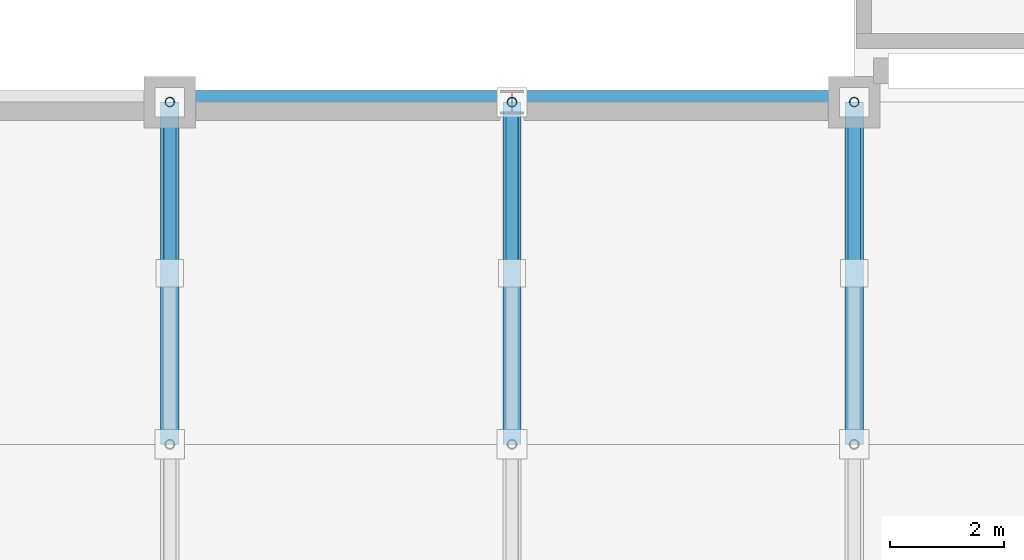
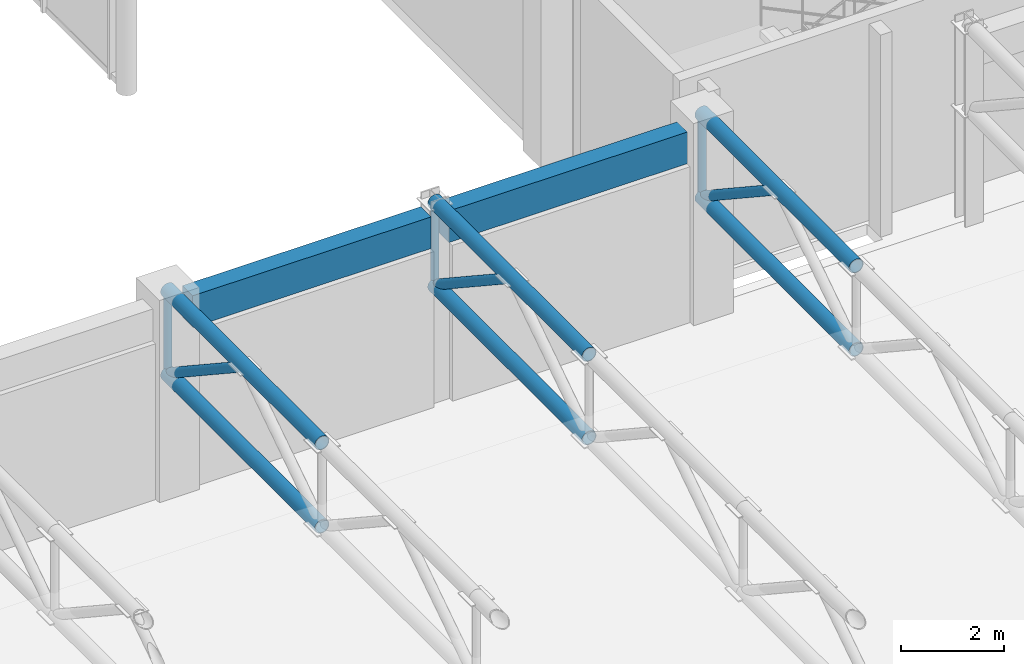
# One storey, part 32 of 123: 12 members, 2 beams.
"""IFC4 building model written with IfcOpenShell, lengths in metres."""

from ifc_helpers import new_model, si_unit, direction, frame, origin, origin_2d, place, context, subcontext, project, spatial, rectangle, hollow_circle, extrude, material, material_profile, profile_set, type_object, element, save


model = new_model("IFC4")

# Units and contexts
model_context = context("Model", 3, precision=1e-05, world=origin(), true_north=direction((0.0, 1.0)))
body_context = subcontext(model_context, "Body", "Model", "MODEL_VIEW")
ifc_project = project(units=[si_unit("LENGTHUNIT", "METRE"), si_unit("AREAUNIT", "SQUARE_METRE"), si_unit("VOLUMEUNIT", "CUBIC_METRE"), si_unit("PLANEANGLEUNIT", "RADIAN"), si_unit("MASSUNIT", "GRAM", prefix="KILO"), si_unit("THERMODYNAMICTEMPERATUREUNIT", "KELVIN"), si_unit("POWERUNIT", "WATT")], contexts=[model_context])

# Site, building, storey
site_placement = place(None, origin())
site = spatial("IfcSite", under=ifc_project, at=site_placement, CompositionType="ELEMENT")
building_placement = place(site_placement, origin())
building = spatial("IfcBuilding", under=site, at=building_placement, Name="Phaisarnlok Congress Hotel", CompositionType="ELEMENT")
storey_placement = place(building_placement, frame((0.0, 0.0, 15.0)))
storey = spatial("IfcBuildingStorey", under=building, at=storey_placement, Name="L03", CompositionType="ELEMENT", Elevation=15.0)

# Members
ifc_material_1 = material(Name="Steel S355", Category="steel")
ifc_material_profile_1 = material_profile(ifc_material_1, hollow_circle(Radius=0.084228515625, WallThickness=0.010009765625, at=origin_2d()), Name="CHS 168.3x10")
ifc_profile_set_1 = profile_set([ifc_material_profile_1], Name="Steel S355")
member_type_1 = type_object("IfcMemberType", Name="MEM-BRC-CHS168", PredefinedType="BRACE", material=ifc_profile_set_1)
for number, where, z_axis, x_axis, name in (
    (1, (114.0, 36.0, 2.64990234375), (0.0, 0.0, 1.0), (1.0, 0.0, 0.0), "Ballroom truss vertical web TB-01"),
    (2, (120.0, 36.0, 2.64990234375), (0.0, 0.0, 1.0), (1.0, 0.0, 0.0), "Ballroom truss vertical web TB-01"),
    (3, (126.0, 36.0, 2.64990234375), (0.0, 0.0, 1.0), (1.0, 0.0, 0.0), "Ballroom truss vertical web TB-01"),
):
    element("IfcMember", number, at=place(storey_placement, frame(where, z_axis=z_axis, x_axis=x_axis)), inside=storey, type_object=member_type_1, Name=name, PredefinedType="BRACE", context=body_context, shape_type="SweptSolid", body=[
        extrude(hollow_circle(Radius=0.084228515625, WallThickness=0.010009765625, at=origin_2d()), origin(), (0.0, 0.0, 1.0), 1.97998046875),
    ])
ifc_material_profile_2 = material_profile(ifc_material_1, hollow_circle(Radius=0.109619140625, WallThickness=0.012451171875, at=origin_2d()), Name="CHS 219.1x12.5")
ifc_profile_set_2 = profile_set([ifc_material_profile_2], Name="Steel S355")
member_type_2 = type_object("IfcMemberType", Name="MEM-BRC-CHS219", PredefinedType="BRACE", material=ifc_profile_set_2)
for number, where, z_axis, x_axis, name in (
    (4, (114.0, 36.0, 2.64990234375), (0.0, -0.834611904619, 0.550838423377), (1.0, 0.0, 0.0), "Ballroom truss diagonal web TB-02"),
    (5, (120.0, 36.0, 2.64990234375), (0.0, -0.834611904619, 0.550838423377), (1.0, 0.0, 0.0), "Ballroom truss diagonal web TB-02"),
    (6, (126.0, 36.0, 2.64990234375), (0.0, -0.834611904619, 0.550838423377), (1.0, 0.0, 0.0), "Ballroom truss diagonal web TB-02"),
):
    element("IfcMember", number, at=place(storey_placement, frame(where, z_axis=z_axis, x_axis=x_axis)), inside=storey, type_object=member_type_2, Name=name, PredefinedType="BRACE", context=body_context, shape_type="SweptSolid", body=[
        extrude(hollow_circle(Radius=0.109619140625, WallThickness=0.012451171875, at=origin_2d()), origin(), (0.0, 0.0, 1.0), 3.594482421875),
    ])
ifc_material_profile_3 = material_profile(ifc_material_1, hollow_circle(Radius=0.161865234375, WallThickness=0.01611328125, at=origin_2d()), Name="CHS 323.9x16")
ifc_profile_set_3 = profile_set([ifc_material_profile_3], Name="Steel S355")
member_type_3 = type_object("IfcMemberType", Name="MEM-CHD-CHS324", PredefinedType="CHORD", material=ifc_profile_set_3)
for number, where, z_axis, x_axis, name in (
    (7, (114.0, 30.0, 4.6298828125), (0.0, 1.0, 0.0), (-1.0, 0.0, 0.0), "Ballroom truss top chord TC-02"),
    (8, (114.0, 30.0, 2.64990234375), (0.0, 1.0, 0.0), (-1.0, 0.0, 0.0), "Ballroom truss bottom chord TC-02"),
    (9, (120.0, 30.0, 4.6298828125), (0.0, 1.0, 0.0), (-1.0, 0.0, 0.0), "Ballroom truss top chord TC-02"),
    (10, (120.0, 30.0, 2.64990234375), (0.0, 1.0, 0.0), (-1.0, 0.0, 0.0), "Ballroom truss bottom chord TC-02"),
    (11, (126.0, 30.0, 4.6298828125), (0.0, 1.0, 0.0), (-1.0, 0.0, 0.0), "Ballroom truss top chord TC-02"),
    (12, (126.0, 30.0, 2.64990234375), (0.0, 1.0, 0.0), (-1.0, 0.0, 0.0), "Ballroom truss bottom chord TC-02"),
):
    element("IfcMember", number, at=place(storey_placement, frame(where, z_axis=z_axis, x_axis=x_axis)), inside=storey, type_object=member_type_3, Name=name, PredefinedType="CHORD", context=body_context, shape_type="SweptSolid", body=[
        extrude(hollow_circle(Radius=0.161865234375, WallThickness=0.01611328125, at=origin_2d()), origin(), (0.0, 0.0, 1.0), 6.0),
    ])

# Beams
ifc_material_2 = material(Name="Concrete C40/50", Category="concrete")
ifc_material_profile_4 = material_profile(ifc_material_2, rectangle(XDim=0.39990234375, YDim=0.75, at=origin_2d()), Name="RC 400x750")
ifc_profile_set_4 = profile_set([ifc_material_profile_4], Name="Concrete C40/50")
beam_type = type_object("IfcBeamType", Name="SP-RC-400x750", PredefinedType="SPANDREL", material=ifc_profile_set_4)
for number, where, z_axis, x_axis, name in (
    (13, (114.445068359375, 36.0, 4.074951171875), (1.0, 0.0, 0.0), (0.0, 1.0, 0.0), "Beam SP-02"),
    (14, (120.197998046875, 36.0, 4.074951171875), (1.0, 0.0, 0.0), (0.0, 1.0, 0.0), "Beam SP-02"),
):
    element("IfcBeam", number, at=place(storey_placement, frame(where, z_axis=z_axis, x_axis=x_axis)), inside=storey, type_object=beam_type, Name=name, PredefinedType="SPANDREL", context=body_context, shape_type="SweptSolid", body=[
        extrude(rectangle(XDim=0.39990234375, YDim=0.75, at=origin_2d()), origin(), (0.0, 0.0, 1.0), 5.35693359375),
    ])

save(model, "model.ifc")
